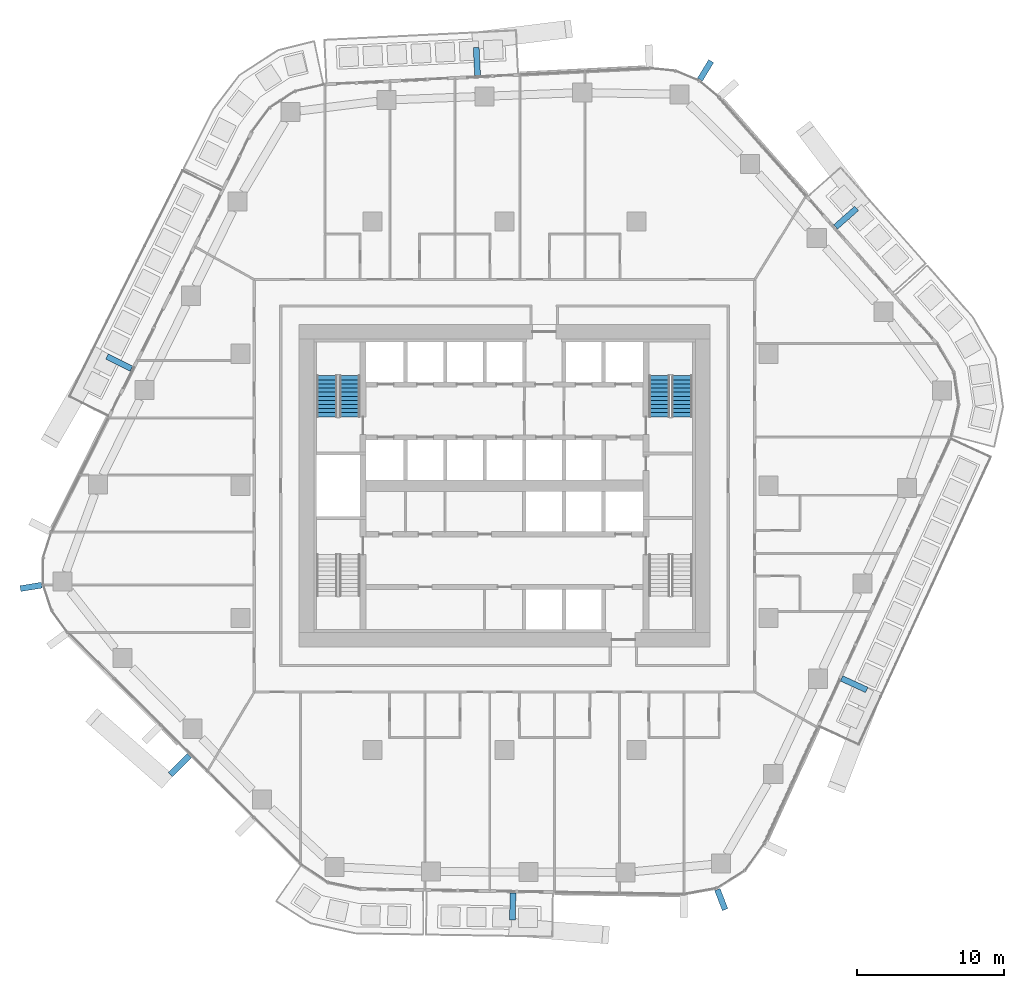
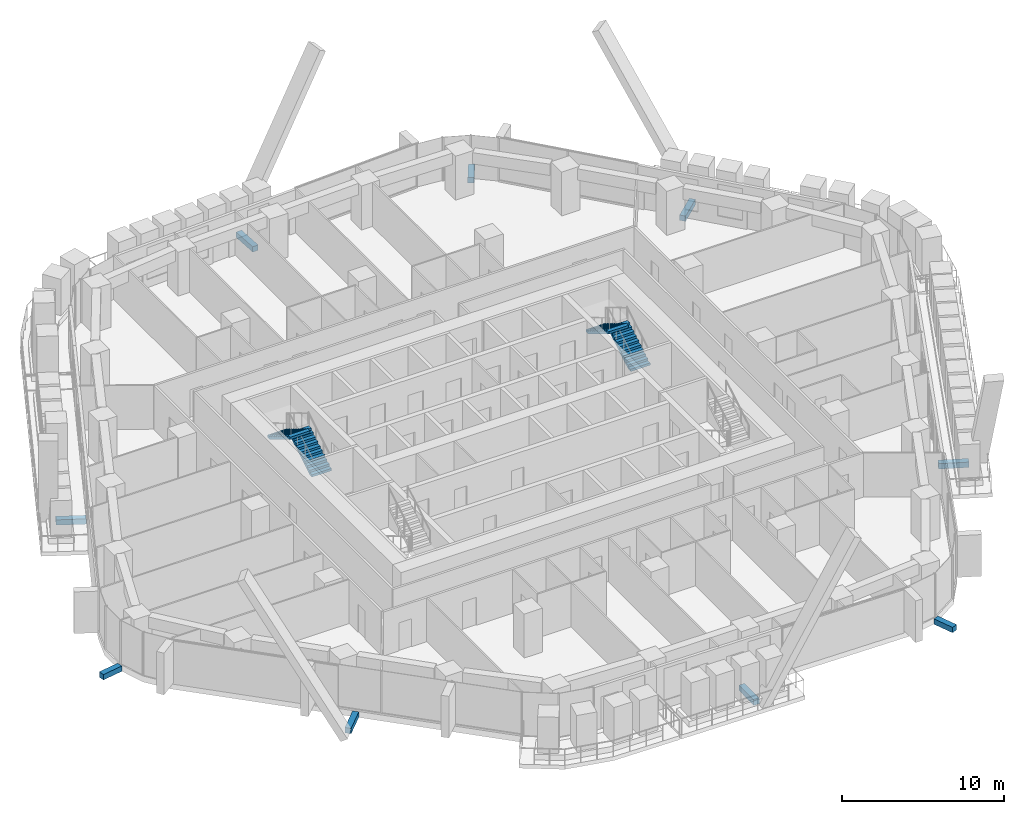
# One storey, part 18 of 25: 9 discrete accessories, 4 stair flights, 2 elements without a shape of their own.
"""IFC4 building model written with IfcOpenShell, lengths in metres."""

from ifc_helpers import new_model, si_unit, direction, frame, origin, origin_2d, place, context, subcontext, project, spatial, polyline, rectangle, outline, extrude, material, layer, layer_set, type_object, element, aggregate, save


model = new_model("IFC4")

# Units and contexts
model_context = context("Model", 3, precision=1e-05, world=origin(), true_north=direction((0.0, 1.0)))
body_context = subcontext(model_context, "Body", "Model", "MODEL_VIEW")
ifc_project = project(units=[si_unit("LENGTHUNIT", "METRE"), si_unit("AREAUNIT", "SQUARE_METRE"), si_unit("VOLUMEUNIT", "CUBIC_METRE"), si_unit("PLANEANGLEUNIT", "RADIAN"), si_unit("MASSUNIT", "GRAM", prefix="KILO")], contexts=[model_context])

# Site, building, storey
site_placement = place(None, origin())
site = spatial("IfcSite", under=ifc_project, at=site_placement, CompositionType="ELEMENT")
building_placement = place(site_placement, origin())
building = spatial("IfcBuilding", under=site, at=building_placement, Name="Dongbaek Canopy Tower", CompositionType="ELEMENT")
storey_placement = place(building_placement, frame((0.0, 0.0, 102.60009765625)))
storey = spatial("IfcBuildingStorey", under=building, at=storey_placement, Name="L21", CompositionType="ELEMENT", Elevation=102.60009765625)

# Stair, stair flights
ifc_material_1 = material(Name="Concrete C40/50", Category="concrete")
stair_type = type_object("IfcStairType", Name="Core exit stair", PredefinedType="HALF_TURN_STAIR", material=ifc_material_1)
stair_1_placement = place(storey_placement, origin())
stair_1 = element("IfcStair", 1, at=stair_1_placement, inside=storey, type_object=stair_type, Name="L21 exit stair A", PredefinedType="HALF_TURN_STAIR")
ifc_material_2 = material(Name="Concrete C40/50", Category="concrete")
ifc_layer = layer(ifc_material_2, 0.14990234375)
ifc_layer_set = layer_set([ifc_layer], Name="Core stair flight 150 waist")
stair_flight_type = type_object("IfcStairFlightType", Name="Core stair flight 150 waist", PredefinedType="STRAIGHT", material=ifc_layer_set)
stair_flight_1_placement = place(storey_placement, frame((12.10009765625, 4.699951171875, 0.0), z_axis=(0.0, 0.0, 1.0), x_axis=(0.0, 1.0, 0.0)))
stair_flight_1 = element("IfcStairFlight", 2, at=stair_flight_1_placement, type_object=stair_flight_type, Name="ST-A flight 1", NumberOfRisers=11, NumberOfTreads=10, PredefinedType="STRAIGHT", RiserHeight=0.168181818, TreadLength=0.28, context=body_context, shape_type="SweptSolid", body=[
    extrude(outline(polyline([(0.0, 0.0), (0.0, 0.168212890625), (0.280029296875, 0.168212890625), (0.280029296875, 0.33642578125), (0.56005859375, 0.33642578125), (0.56005859375, 0.504638671875), (0.840087890625, 0.504638671875), (0.840087890625, 0.672607421875), (1.1201171875, 0.672607421875), (1.1201171875, 0.8408203125), (1.39990234375, 0.8408203125), (1.39990234375, 1.009033203125), (1.679931640625, 1.009033203125), (1.679931640625, 1.17724609375), (1.9599609375, 1.17724609375), (1.9599609375, 1.345458984375), (2.239990234375, 1.345458984375), (2.239990234375, 1.513671875), (2.52001953125, 1.513671875), (2.52001953125, 1.681884765625), (2.800048828125, 1.681884765625), (2.800048828125, 1.85009765625), (2.800048828125, 1.5068359375), (0.291015625, 0.0), (0.0, 0.0)])), frame((0.0, 0.699951171875, 0.0), z_axis=(0.0, -1.0, 0.0), x_axis=(1.0, 0.0, 0.0)), (0.0, 0.0, 1.0), 1.39990234375),
])
stair_flight_2_placement = place(storey_placement, frame((10.550048828125, 7.5, 1.849853515625), z_axis=(0.0, 0.0, 1.0), x_axis=(0.0, -1.0, 0.0)))
stair_flight_2 = element("IfcStairFlight", 3, at=stair_flight_2_placement, type_object=stair_flight_type, Name="ST-A flight 2", NumberOfRisers=11, NumberOfTreads=10, PredefinedType="STRAIGHT", RiserHeight=0.168181818, TreadLength=0.28, context=body_context, shape_type="SweptSolid", body=[
    extrude(outline(polyline([(0.0, 0.0), (0.0, 0.168212890625), (0.280029296875, 0.168212890625), (0.280029296875, 0.33642578125), (0.56005859375, 0.33642578125), (0.56005859375, 0.504638671875), (0.840087890625, 0.504638671875), (0.840087890625, 0.672607421875), (1.1201171875, 0.672607421875), (1.1201171875, 0.8408203125), (1.39990234375, 0.8408203125), (1.39990234375, 1.009033203125), (1.679931640625, 1.009033203125), (1.679931640625, 1.17724609375), (1.9599609375, 1.17724609375), (1.9599609375, 1.345458984375), (2.239990234375, 1.345458984375), (2.239990234375, 1.513671875), (2.52001953125, 1.513671875), (2.52001953125, 1.681884765625), (2.800048828125, 1.681884765625), (2.800048828125, 1.85009765625), (2.800048828125, 1.5068359375), (0.291015625, 0.0), (0.0, 0.0)])), frame((0.0, 0.699951171875, 0.0), z_axis=(0.0, -1.0, 0.0), x_axis=(1.0, 0.0, 0.0)), (0.0, 0.0, 1.0), 1.39990234375),
])
aggregate(stair_1, [stair_flight_1, stair_flight_2])

stair_2_placement = place(storey_placement, origin())
stair_2 = element("IfcStair", 4, at=stair_2_placement, inside=storey, type_object=stair_type, Name="L21 exit stair C", PredefinedType="HALF_TURN_STAIR")
stair_flight_3_placement = place(storey_placement, frame((-10.550048828125, 4.699951171875, 0.0), z_axis=(0.0, 0.0, 1.0), x_axis=(0.0, 1.0, 0.0)))
stair_flight_3 = element("IfcStairFlight", 5, at=stair_flight_3_placement, type_object=stair_flight_type, Name="ST-C flight 1", NumberOfRisers=11, NumberOfTreads=10, PredefinedType="STRAIGHT", RiserHeight=0.168181818, TreadLength=0.28, context=body_context, shape_type="SweptSolid", body=[
    extrude(outline(polyline([(0.0, 0.0), (0.0, 0.168212890625), (0.280029296875, 0.168212890625), (0.280029296875, 0.33642578125), (0.56005859375, 0.33642578125), (0.56005859375, 0.504638671875), (0.840087890625, 0.504638671875), (0.840087890625, 0.672607421875), (1.1201171875, 0.672607421875), (1.1201171875, 0.8408203125), (1.39990234375, 0.8408203125), (1.39990234375, 1.009033203125), (1.679931640625, 1.009033203125), (1.679931640625, 1.17724609375), (1.9599609375, 1.17724609375), (1.9599609375, 1.345458984375), (2.239990234375, 1.345458984375), (2.239990234375, 1.513671875), (2.52001953125, 1.513671875), (2.52001953125, 1.681884765625), (2.800048828125, 1.681884765625), (2.800048828125, 1.85009765625), (2.800048828125, 1.5068359375), (0.291015625, 0.0), (0.0, 0.0)])), frame((0.0, 0.699951171875, 0.0), z_axis=(0.0, -1.0, 0.0), x_axis=(1.0, 0.0, 0.0)), (0.0, 0.0, 1.0), 1.39990234375),
])
stair_flight_4_placement = place(storey_placement, frame((-12.10009765625, 7.5, 1.849853515625), z_axis=(0.0, 0.0, 1.0), x_axis=(0.0, -1.0, 0.0)))
stair_flight_4 = element("IfcStairFlight", 6, at=stair_flight_4_placement, type_object=stair_flight_type, Name="ST-C flight 2", NumberOfRisers=11, NumberOfTreads=10, PredefinedType="STRAIGHT", RiserHeight=0.168181818, TreadLength=0.28, context=body_context, shape_type="SweptSolid", body=[
    extrude(outline(polyline([(0.0, 0.0), (0.0, 0.168212890625), (0.280029296875, 0.168212890625), (0.280029296875, 0.33642578125), (0.56005859375, 0.33642578125), (0.56005859375, 0.504638671875), (0.840087890625, 0.504638671875), (0.840087890625, 0.672607421875), (1.1201171875, 0.672607421875), (1.1201171875, 0.8408203125), (1.39990234375, 0.8408203125), (1.39990234375, 1.009033203125), (1.679931640625, 1.009033203125), (1.679931640625, 1.17724609375), (1.9599609375, 1.17724609375), (1.9599609375, 1.345458984375), (2.239990234375, 1.345458984375), (2.239990234375, 1.513671875), (2.52001953125, 1.513671875), (2.52001953125, 1.681884765625), (2.800048828125, 1.681884765625), (2.800048828125, 1.85009765625), (2.800048828125, 1.5068359375), (0.291015625, 0.0), (0.0, 0.0)])), frame((0.0, 0.699951171875, 0.0), z_axis=(0.0, -1.0, 0.0), x_axis=(1.0, 0.0, 0.0)), (0.0, 0.0, 1.0), 1.39990234375),
])
aggregate(stair_2, [stair_flight_3, stair_flight_4])

# Discrete accessories
ifc_material_3 = material(Name="Galvanised steel S355 bracket", Category="steel")
discrete_accessory_type = type_object("IfcDiscreteAccessoryType", Name="Crease fin bracket BR3 400", PredefinedType="BRACKET", material=ifc_material_3)
discrete_accessory_1_placement = place(storey_placement, frame((23.2783203125, 18.2705078125, -0.425048828125), z_axis=(0.0, 0.0, 1.0), x_axis=(0.748748672505, 0.66285400008, 0.0)))
element("IfcDiscreteAccessory", 7, at=discrete_accessory_1_placement, inside=storey, type_object=discrete_accessory_type, Name="Crease fin bracket L21 F0", PredefinedType="BRACKET", context=body_context, shape_type="SweptSolid", body=[
    extrude(rectangle(XDim=1.908203125, YDim=0.39990234375, at=origin_2d()), origin(), (0.0, 0.0, 1.0), 0.39990234375),
])
discrete_accessory_2_placement = place(storey_placement, frame((-1.8828125, 28.917236328125, -0.425048828125), z_axis=(0.0, 0.0, 1.0), x_axis=(-0.049538340132, 0.99877222271, 0.0)))
element("IfcDiscreteAccessory", 8, at=discrete_accessory_2_placement, inside=storey, type_object=discrete_accessory_type, Name="Crease fin bracket L21 F1", PredefinedType="BRACKET", context=body_context, shape_type="SweptSolid", body=[
    extrude(rectangle(XDim=1.897216796875, YDim=0.39990234375, at=origin_2d()), origin(), (0.0, 0.0, 1.0), 0.39990234375),
])
discrete_accessory_3_placement = place(storey_placement, frame((-26.25244140625, 8.396728515625, -0.425048828125), z_axis=(0.0, 0.0, 1.0), x_axis=(-0.894055747853, 0.447955711797, 0.0)))
element("IfcDiscreteAccessory", 9, at=discrete_accessory_3_placement, inside=storey, type_object=discrete_accessory_type, Name="Crease fin bracket L21 F2", PredefinedType="BRACKET", context=body_context, shape_type="SweptSolid", body=[
    extrude(rectangle(XDim=1.862060546875, YDim=0.39990234375, at=origin_2d()), origin(), (0.0, 0.0, 1.0), 0.39990234375),
])
discrete_accessory_4_placement = place(storey_placement, frame((-22.125732421875, -19.039306640625, -0.425048828125), z_axis=(0.0, 0.0, 1.0), x_axis=(-0.70510466009, -0.709103249407, 0.0)))
element("IfcDiscreteAccessory", 10, at=discrete_accessory_4_placement, inside=storey, type_object=discrete_accessory_type, Name="Crease fin bracket L21 F3", PredefinedType="BRACKET", context=body_context, shape_type="SweptSolid", body=[
    extrude(rectangle(XDim=1.84765625, YDim=0.39990234375, at=origin_2d()), origin(), (0.0, 0.0, 1.0), 0.39990234375),
])
discrete_accessory_5_placement = place(storey_placement, frame((0.559326171875, -28.671875, -0.425048828125), z_axis=(0.0, 0.0, 1.0), x_axis=(-0.015412392378, -0.999881222026, 0.0)))
element("IfcDiscreteAccessory", 11, at=discrete_accessory_5_placement, inside=storey, type_object=discrete_accessory_type, Name="Crease fin bracket L21 F4", PredefinedType="BRACKET", context=body_context, shape_type="SweptSolid", body=[
    extrude(rectangle(XDim=1.861572265625, YDim=0.39990234375, at=origin_2d()), origin(), (0.0, 0.0, 1.0), 0.39990234375),
])
discrete_accessory_6_placement = place(storey_placement, frame((23.82861328125, -13.52099609375, -0.425048828125), z_axis=(0.0, 0.0, 1.0), x_axis=(0.908848466109, -0.417126438446, 0.0)))
element("IfcDiscreteAccessory", 12, at=discrete_accessory_6_placement, inside=storey, type_object=discrete_accessory_type, Name="Crease fin bracket L21 F5", PredefinedType="BRACKET", context=body_context, shape_type="SweptSolid", body=[
    extrude(rectangle(XDim=1.88427734375, YDim=0.39990234375, at=origin_2d()), origin(), (0.0, 0.0, 1.0), 0.39990234375),
])
for number, where, z_axis, x_axis, name in (
    (13, (13.700439453125, 28.309326171875, -0.425048828125), (0.0, 0.0, 1.0), (0.520635660338, 0.853778958036, 0.0), "Corner fin bracket L21 K1"),
    (14, (-32.2626953125, -6.89013671875, -0.425048828125), (0.0, 0.0, 1.0), (-0.986926979319, -0.161168041161, 0.0), "Corner fin bracket L21 K3"),
    (15, (14.769287109375, -28.201416015625, -0.425048828125), (0.0, 0.0, 1.0), (0.361518798975, -0.932364820222, 0.0), "Corner fin bracket L21 K5"),
):
    element("IfcDiscreteAccessory", number, at=place(storey_placement, frame(where, z_axis=z_axis, x_axis=x_axis)), inside=storey, type_object=discrete_accessory_type, Name=name, PredefinedType="BRACKET", context=body_context, shape_type="SweptSolid", body=[
        extrude(rectangle(XDim=1.469970703125, YDim=0.39990234375, at=origin_2d()), origin(), (0.0, 0.0, 1.0), 0.39990234375),
    ])

save(model, "model.ifc")
